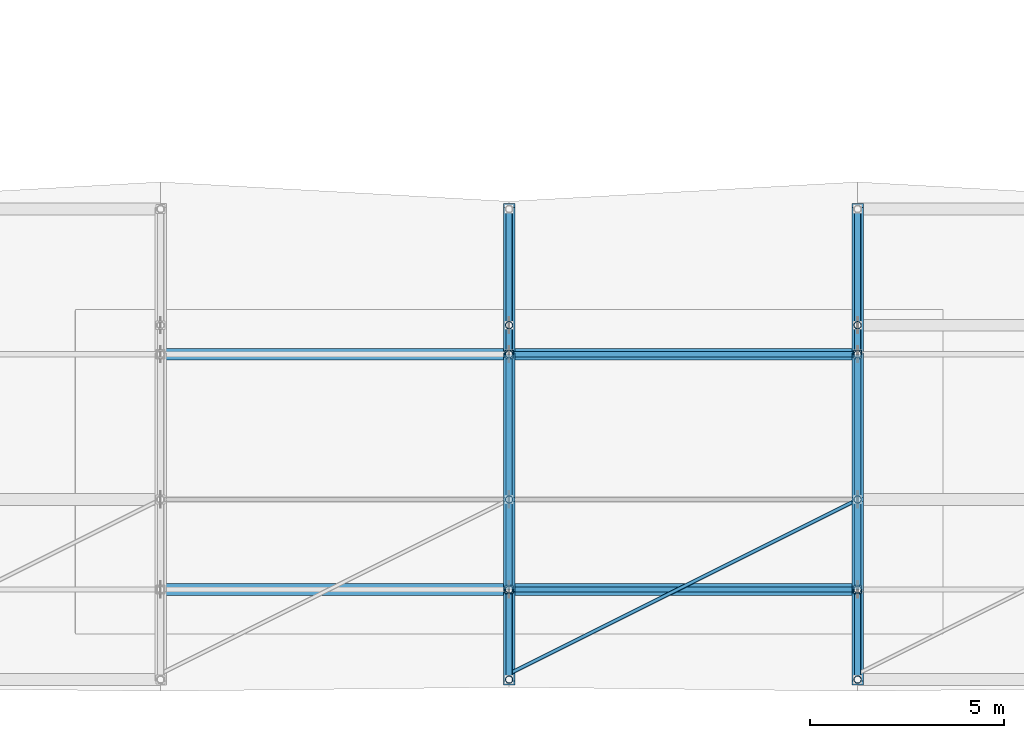
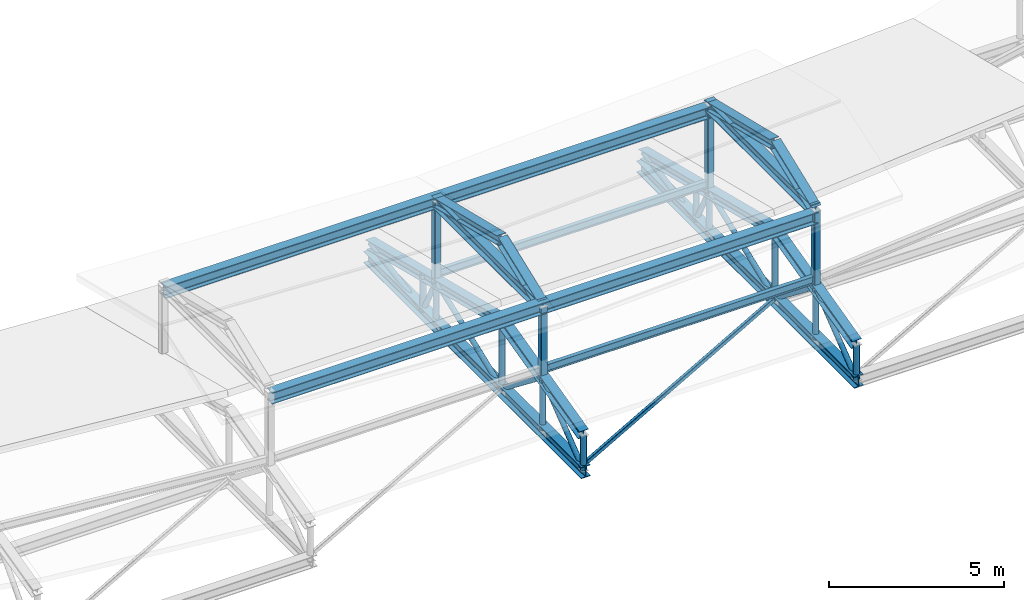
# One storey, part 15 of 55: 35 members, 6 beams.
"""IFC4 building model written with IfcOpenShell, lengths in metres."""

from ifc_helpers import new_model, si_unit, direction, frame, origin, origin_2d, place, context, subcontext, project, spatial, hollow_rectangle, hollow_circle, i_section, extrude, material, material_profile, profile_set, type_object, element, save


model = new_model("IFC4")

# Units and contexts
model_context = context("Model", 3, precision=1e-05, world=origin(), true_north=direction((0.0, 1.0)))
body_context = subcontext(model_context, "Body", "Model", "MODEL_VIEW")
ifc_project = project(units=[si_unit("LENGTHUNIT", "METRE"), si_unit("AREAUNIT", "SQUARE_METRE"), si_unit("VOLUMEUNIT", "CUBIC_METRE"), si_unit("PLANEANGLEUNIT", "RADIAN"), si_unit("MASSUNIT", "GRAM", prefix="KILO")], contexts=[model_context])

# Site, building, storey
site_placement = place(None, origin())
site = spatial("IfcSite", under=ifc_project, at=site_placement, CompositionType="ELEMENT")
building_placement = place(site_placement, origin())
building = spatial("IfcBuilding", under=site, at=building_placement, Name="Bozkorgan Art Gallery", CompositionType="ELEMENT")
storey_placement = place(building_placement, frame((0.0, 0.0, 15.0)))
storey = spatial("IfcBuildingStorey", under=building, at=storey_placement, Name="L03", CompositionType="ELEMENT", Elevation=15.0)

# Beams
ifc_material = material(Name="Steel S355J2", Category="steel")
ifc_material_profile_1 = material_profile(ifc_material, i_section(OverallWidth=0.300048828125, OverallDepth=0.39990234375, WebThickness=0.013427734375, FlangeThickness=0.02392578125, FilletRadius=0.027099609375, at=origin_2d()), Name="HEB 400")
ifc_profile_set_1 = profile_set([ifc_material_profile_1], Name="Steel S355J2")
beam_type_1 = type_object("IfcBeamType", Name="BEAM-TB-49", PredefinedType="BEAM", material=ifc_profile_set_1)
for number, where, z_axis, x_axis, name in (
    (1, (101.0, 4.175048828125, 4.491943359375), (0.0, 1.0, 0.0), (-1.0, 0.0, 0.0), "V3 stacked upper roof truss 2"),
    (2, (110.0, 4.175048828125, 4.6943359375), (0.0, 1.0, 0.0), (-1.0, 0.0, 0.0), "V3 stacked upper roof truss 3"),
):
    element("IfcBeam", number, at=place(storey_placement, frame(where, z_axis=z_axis, x_axis=x_axis)), inside=storey, type_object=beam_type_1, Name=name, PredefinedType="BEAM", context=body_context, shape_type="SweptSolid", body=[
        extrude(i_section(OverallWidth=0.300048828125, OverallDepth=0.39990234375, WebThickness=0.013427734375, FlangeThickness=0.02392578125, FilletRadius=0.027099609375, at=origin_2d()), origin(), (0.0, 0.0, 1.0), 6.074951171875),
    ])
ifc_material_profile_2 = material_profile(ifc_material, i_section(OverallWidth=0.300048828125, OverallDepth=0.39990234375, WebThickness=0.013427734375, FlangeThickness=0.02392578125, FilletRadius=0.027099609375, at=origin_2d()), Name="HEB 400")
ifc_profile_set_2 = profile_set([ifc_material_profile_2], Name="Steel S355J2")
beam_type_2 = type_object("IfcBeamType", Name="BEAM-TO-32", PredefinedType="BEAM", material=ifc_profile_set_2)
for number, where, z_axis, x_axis, name in (
    (3, (101.0, 1.7099609375, 0.199951171875), (0.0, 1.0, 0.0), (-1.0, 0.0, 0.0), "ROOF-V3-MAIN roof truss 4 bottom chord"),
    (4, (110.0, 1.7099609375, 0.199951171875), (0.0, 1.0, 0.0), (-1.0, 0.0, 0.0), "ROOF-V3-MAIN roof truss 5 bottom chord"),
):
    element("IfcBeam", number, at=place(storey_placement, frame(where, z_axis=z_axis, x_axis=x_axis)), inside=storey, type_object=beam_type_2, Name=name, PredefinedType="BEAM", context=body_context, shape_type="SweptSolid", body=[
        extrude(i_section(OverallWidth=0.300048828125, OverallDepth=0.39990234375, WebThickness=0.013427734375, FlangeThickness=0.02392578125, FilletRadius=0.027099609375, at=origin_2d()), origin(), (0.0, 0.0, 1.0), 12.429931640625),
    ])
for number, where, z_axis, x_axis, name in (
    (5, (92.0, 4.175048828125, 4.491943359375), (1.0, 0.0, 0.0), (0.0, 1.0, 0.0), "V3 stacked roof longitudinal tie 1"),
    (6, (92.0, 10.25, 4.491943359375), (1.0, 0.0, 0.0), (0.0, 1.0, 0.0), "V3 stacked roof longitudinal tie 2"),
):
    element("IfcBeam", number, at=place(storey_placement, frame(where, z_axis=z_axis, x_axis=x_axis)), inside=storey, type_object=beam_type_2, Name=name, PredefinedType="BEAM", context=body_context, shape_type="SweptSolid", body=[
        extrude(i_section(OverallWidth=0.300048828125, OverallDepth=0.39990234375, WebThickness=0.013427734375, FlangeThickness=0.02392578125, FilletRadius=0.027099609375, at=origin_2d()), origin(), (0.0, 0.0, 1.0), 18.0),
    ])

# Members
ifc_material_profile_3 = material_profile(ifc_material, hollow_rectangle(XDim=0.219970703125, YDim=0.219970703125, WallThickness=0.012451171875, InnerFilletRadius=0.018798828125, OuterFilletRadius=0.03125, at=origin_2d()), Name="SHS 220x220x12.5")
ifc_profile_set_3 = profile_set([ifc_material_profile_3], Name="Steel S355J2")
member_type_1 = type_object("IfcMemberType", Name="MEMBER-CP-34", PredefinedType="POST", material=ifc_profile_set_3)
member_1_placement = place(storey_placement, frame((101.0, 4.175048828125, 2.00634765625), z_axis=(0.0, 0.0, 1.0), x_axis=(1.0, 0.0, 0.0)))
element("IfcMember", 7, at=member_1_placement, inside=storey, type_object=member_type_1, Name="V3 upper clerestory truss post 2S", PredefinedType="POST", context=body_context, shape_type="SweptSolid", body=[
    extrude(hollow_rectangle(XDim=0.219970703125, YDim=0.219970703125, WallThickness=0.012451171875, InnerFilletRadius=0.018798828125, OuterFilletRadius=0.03125, at=origin_2d()), origin(), (0.0, 0.0, 1.0), 2.485595703125),
])
member_2_placement = place(storey_placement, frame((101.0, 10.25, 1.651123046875), z_axis=(0.0, 0.0, 1.0), x_axis=(1.0, 0.0, 0.0)))
element("IfcMember", 8, at=member_2_placement, inside=storey, type_object=member_type_1, Name="V3 upper clerestory truss post 2N", PredefinedType="POST", context=body_context, shape_type="SweptSolid", body=[
    extrude(hollow_rectangle(XDim=0.219970703125, YDim=0.219970703125, WallThickness=0.012451171875, InnerFilletRadius=0.018798828125, OuterFilletRadius=0.03125, at=origin_2d()), origin(), (0.0, 0.0, 1.0), 2.8408203125),
])
member_3_placement = place(storey_placement, frame((110.0, 4.175048828125, 2.00634765625), z_axis=(0.0, 0.0, 1.0), x_axis=(1.0, 0.0, 0.0)))
element("IfcMember", 9, at=member_3_placement, inside=storey, type_object=member_type_1, Name="V3 upper clerestory truss post 3S", PredefinedType="POST", context=body_context, shape_type="SweptSolid", body=[
    extrude(hollow_rectangle(XDim=0.219970703125, YDim=0.219970703125, WallThickness=0.012451171875, InnerFilletRadius=0.018798828125, OuterFilletRadius=0.03125, at=origin_2d()), origin(), (0.0, 0.0, 1.0), 2.68798828125),
])
member_4_placement = place(storey_placement, frame((110.0, 10.25, 1.651123046875), z_axis=(0.0, 0.0, 1.0), x_axis=(1.0, 0.0, 0.0)))
element("IfcMember", 10, at=member_4_placement, inside=storey, type_object=member_type_1, Name="V3 upper clerestory truss post 3N", PredefinedType="POST", context=body_context, shape_type="SweptSolid", body=[
    extrude(hollow_rectangle(XDim=0.219970703125, YDim=0.219970703125, WallThickness=0.012451171875, InnerFilletRadius=0.018798828125, OuterFilletRadius=0.03125, at=origin_2d()), origin(), (0.0, 0.0, 1.0), 3.043212890625),
])
ifc_material_profile_4 = material_profile(ifc_material, i_section(OverallWidth=0.135009765625, OverallDepth=0.27001953125, WebThickness=0.006591796875, FlangeThickness=0.01025390625, FilletRadius=0.014892578125, at=origin_2d()), Name="IPE 270")
ifc_profile_set_4 = profile_set([ifc_material_profile_4], Name="Steel S355J2")
member_type_2 = type_object("IfcMemberType", Name="MEMBER-PR-57", PredefinedType="PURLIN", material=ifc_profile_set_4)
for number, where, z_axis, x_axis, name in (
    (11, (101.0, 4.175048828125, 2.29638671875), (1.0, 0.0, 0.0), (0.0, 1.0, 0.0), "ROOF-V3-MAIN roof purlin 4S"),
    (12, (101.0, 10.25, 1.941162109375), (1.0, 0.0, 0.0), (0.0, 1.0, 0.0), "ROOF-V3-MAIN roof purlin 4N"),
):
    element("IfcMember", number, at=place(storey_placement, frame(where, z_axis=z_axis, x_axis=x_axis)), inside=storey, type_object=member_type_2, Name=name, PredefinedType="PURLIN", context=body_context, shape_type="SweptSolid", body=[
        extrude(i_section(OverallWidth=0.135009765625, OverallDepth=0.27001953125, WebThickness=0.006591796875, FlangeThickness=0.01025390625, FilletRadius=0.014892578125, at=origin_2d()), origin(), (0.0, 0.0, 1.0), 9.0),
    ])
ifc_material_profile_5 = material_profile(ifc_material, i_section(OverallWidth=0.300048828125, OverallDepth=0.31005859375, WebThickness=0.009033203125, FlangeThickness=0.015380859375, FilletRadius=0.027099609375, at=origin_2d()), Name="HEA 320")
ifc_profile_set_5 = profile_set([ifc_material_profile_5], Name="Steel S355J2")
member_type_3 = type_object("IfcMemberType", Name="MEMBER-TC-13", PredefinedType="CHORD", material=ifc_profile_set_5)
member_5_placement = place(storey_placement, frame((101.0, 1.85009765625, 1.4267578125), z_axis=(0.0, 0.970292152268, 0.241936229713), x_axis=(-1.0, 0.0, 0.0)))
element("IfcMember", 13, at=member_5_placement, inside=storey, type_object=member_type_3, Name="ROOF-V3-MAIN roof truss 4 south top chord", PredefinedType="CHORD", context=body_context, shape_type="SweptSolid", body=[
    extrude(i_section(OverallWidth=0.300048828125, OverallDepth=0.31005859375, WebThickness=0.009033203125, FlangeThickness=0.015380859375, FilletRadius=0.027099609375, at=origin_2d()), origin(), (0.0, 0.0, 1.0), 4.792236328125),
])
member_6_placement = place(storey_placement, frame((101.0, 6.5, 2.586181640625), z_axis=(0.0, 0.970290953223, -0.241941038466), x_axis=(-1.0, 0.0, 0.0)))
element("IfcMember", 14, at=member_6_placement, inside=storey, type_object=member_type_3, Name="ROOF-V3-MAIN roof truss 4 north top chord", PredefinedType="CHORD", context=body_context, shape_type="SweptSolid", body=[
    extrude(i_section(OverallWidth=0.300048828125, OverallDepth=0.31005859375, WebThickness=0.009033203125, FlangeThickness=0.015380859375, FilletRadius=0.027099609375, at=origin_2d()), origin(), (0.0, 0.0, 1.0), 7.729736328125),
])
member_7_placement = place(storey_placement, frame((110.0, 1.85009765625, 1.4267578125), z_axis=(0.0, 0.970292152268, 0.241936229713), x_axis=(-1.0, 0.0, 0.0)))
element("IfcMember", 15, at=member_7_placement, inside=storey, type_object=member_type_3, Name="ROOF-V3-MAIN roof truss 5 south top chord", PredefinedType="CHORD", context=body_context, shape_type="SweptSolid", body=[
    extrude(i_section(OverallWidth=0.300048828125, OverallDepth=0.31005859375, WebThickness=0.009033203125, FlangeThickness=0.015380859375, FilletRadius=0.027099609375, at=origin_2d()), origin(), (0.0, 0.0, 1.0), 4.792236328125),
])
member_8_placement = place(storey_placement, frame((110.0, 6.5, 2.586181640625), z_axis=(0.0, 0.970290953223, -0.241941038466), x_axis=(-1.0, 0.0, 0.0)))
element("IfcMember", 16, at=member_8_placement, inside=storey, type_object=member_type_3, Name="ROOF-V3-MAIN roof truss 5 north top chord", PredefinedType="CHORD", context=body_context, shape_type="SweptSolid", body=[
    extrude(i_section(OverallWidth=0.300048828125, OverallDepth=0.31005859375, WebThickness=0.009033203125, FlangeThickness=0.015380859375, FilletRadius=0.027099609375, at=origin_2d()), origin(), (0.0, 0.0, 1.0), 7.729736328125),
])
member_9_placement = place(storey_placement, frame((101.0, 4.175048828125, 4.491943359375), z_axis=(0.0, 0.931587315796, 0.363517637877), x_axis=(-1.0, 0.0, 0.0)))
element("IfcMember", 17, at=member_9_placement, inside=storey, type_object=member_type_3, Name="V3 stacked upper south chord 2", PredefinedType="CHORD", context=body_context, shape_type="SweptSolid", body=[
    extrude(i_section(OverallWidth=0.300048828125, OverallDepth=0.31005859375, WebThickness=0.009033203125, FlangeThickness=0.015380859375, FilletRadius=0.027099609375, at=origin_2d()), origin(), (0.0, 0.0, 1.0), 2.49560546875),
])
member_10_placement = place(storey_placement, frame((101.0, 6.5, 5.399169921875), z_axis=(0.0, 0.971960640183, -0.235143602794), x_axis=(-1.0, 0.0, 0.0)))
element("IfcMember", 18, at=member_10_placement, inside=storey, type_object=member_type_3, Name="V3 stacked upper north chord 2", PredefinedType="CHORD", context=body_context, shape_type="SweptSolid", body=[
    extrude(i_section(OverallWidth=0.300048828125, OverallDepth=0.31005859375, WebThickness=0.009033203125, FlangeThickness=0.015380859375, FilletRadius=0.027099609375, at=origin_2d()), origin(), (0.0, 0.0, 1.0), 3.858154296875),
])
member_11_placement = place(storey_placement, frame((110.0, 4.175048828125, 4.6943359375), z_axis=(0.0, 0.931587315796, 0.363517637877), x_axis=(-1.0, 0.0, 0.0)))
element("IfcMember", 19, at=member_11_placement, inside=storey, type_object=member_type_3, Name="V3 stacked upper south chord 3", PredefinedType="CHORD", context=body_context, shape_type="SweptSolid", body=[
    extrude(i_section(OverallWidth=0.300048828125, OverallDepth=0.31005859375, WebThickness=0.009033203125, FlangeThickness=0.015380859375, FilletRadius=0.027099609375, at=origin_2d()), origin(), (0.0, 0.0, 1.0), 2.49560546875),
])
member_12_placement = place(storey_placement, frame((110.0, 6.5, 5.6015625), z_axis=(0.0, 0.971960640183, -0.235143602794), x_axis=(-1.0, 0.0, 0.0)))
element("IfcMember", 20, at=member_12_placement, inside=storey, type_object=member_type_3, Name="V3 stacked upper north chord 3", PredefinedType="CHORD", context=body_context, shape_type="SweptSolid", body=[
    extrude(i_section(OverallWidth=0.300048828125, OverallDepth=0.31005859375, WebThickness=0.009033203125, FlangeThickness=0.015380859375, FilletRadius=0.027099609375, at=origin_2d()), origin(), (0.0, 0.0, 1.0), 3.858154296875),
])
ifc_material_profile_6 = material_profile(ifc_material, hollow_circle(Radius=0.096923828125, WallThickness=0.008056640625, at=origin_2d()), Name="CHS 193.7x8")
ifc_profile_set_6 = profile_set([ifc_material_profile_6], Name="Steel S355J2")
member_type_4 = type_object("IfcMemberType", Name="MEMBER-TP-46", PredefinedType="POST", material=ifc_profile_set_6)
member_13_placement = place(storey_placement, frame((101.0, 1.85009765625, 0.199951171875), z_axis=(0.0, 0.0, 1.0), x_axis=(1.0, 0.0, 0.0)))
element("IfcMember", 21, at=member_13_placement, inside=storey, type_object=member_type_4, Name="ROOF-V3-MAIN roof truss 4 post 0", PredefinedType="POST", context=body_context, shape_type="SweptSolid", body=[
    extrude(hollow_circle(Radius=0.096923828125, WallThickness=0.008056640625, at=origin_2d()), origin(), (0.0, 0.0, 1.0), 1.226806640625),
])
member_14_placement = place(storey_placement, frame((101.0, 4.175048828125, 0.199951171875), z_axis=(0.0, 0.0, 1.0), x_axis=(1.0, 0.0, 0.0)))
element("IfcMember", 22, at=member_14_placement, inside=storey, type_object=member_type_4, Name="ROOF-V3-MAIN roof truss 4 post 1", PredefinedType="POST", context=body_context, shape_type="SweptSolid", body=[
    extrude(hollow_circle(Radius=0.096923828125, WallThickness=0.008056640625, at=origin_2d()), origin(), (0.0, 0.0, 1.0), 1.806396484375),
])
member_15_placement = place(storey_placement, frame((101.0, 6.5, 0.199951171875), z_axis=(0.0, 0.0, 1.0), x_axis=(1.0, 0.0, 0.0)))
element("IfcMember", 23, at=member_15_placement, inside=storey, type_object=member_type_4, Name="ROOF-V3-MAIN roof truss 4 post 2", PredefinedType="POST", context=body_context, shape_type="SweptSolid", body=[
    extrude(hollow_circle(Radius=0.096923828125, WallThickness=0.008056640625, at=origin_2d()), origin(), (0.0, 0.0, 1.0), 2.38623046875),
])
member_16_placement = place(storey_placement, frame((101.0, 10.25, 0.199951171875), z_axis=(0.0, 0.0, 1.0), x_axis=(1.0, 0.0, 0.0)))
element("IfcMember", 24, at=member_16_placement, inside=storey, type_object=member_type_4, Name="ROOF-V3-MAIN roof truss 4 post 3", PredefinedType="POST", context=body_context, shape_type="SweptSolid", body=[
    extrude(hollow_circle(Radius=0.096923828125, WallThickness=0.008056640625, at=origin_2d()), origin(), (0.0, 0.0, 1.0), 1.451171875),
])
member_17_placement = place(storey_placement, frame((101.0, 11.0, 0.199951171875), z_axis=(0.0, 0.0, 1.0), x_axis=(1.0, 0.0, 0.0)))
element("IfcMember", 25, at=member_17_placement, inside=storey, type_object=member_type_4, Name="ROOF-V3-MAIN roof truss 4 post 4", PredefinedType="POST", context=body_context, shape_type="SweptSolid", body=[
    extrude(hollow_circle(Radius=0.096923828125, WallThickness=0.008056640625, at=origin_2d()), origin(), (0.0, 0.0, 1.0), 1.26416015625),
])
member_18_placement = place(storey_placement, frame((110.0, 1.85009765625, 0.199951171875), z_axis=(0.0, 0.0, 1.0), x_axis=(1.0, 0.0, 0.0)))
element("IfcMember", 26, at=member_18_placement, inside=storey, type_object=member_type_4, Name="ROOF-V3-MAIN roof truss 5 post 0", PredefinedType="POST", context=body_context, shape_type="SweptSolid", body=[
    extrude(hollow_circle(Radius=0.096923828125, WallThickness=0.008056640625, at=origin_2d()), origin(), (0.0, 0.0, 1.0), 1.226806640625),
])
member_19_placement = place(storey_placement, frame((110.0, 4.175048828125, 0.199951171875), z_axis=(0.0, 0.0, 1.0), x_axis=(1.0, 0.0, 0.0)))
element("IfcMember", 27, at=member_19_placement, inside=storey, type_object=member_type_4, Name="ROOF-V3-MAIN roof truss 5 post 1", PredefinedType="POST", context=body_context, shape_type="SweptSolid", body=[
    extrude(hollow_circle(Radius=0.096923828125, WallThickness=0.008056640625, at=origin_2d()), origin(), (0.0, 0.0, 1.0), 1.806396484375),
])
member_20_placement = place(storey_placement, frame((110.0, 6.5, 0.199951171875), z_axis=(0.0, 0.0, 1.0), x_axis=(1.0, 0.0, 0.0)))
element("IfcMember", 28, at=member_20_placement, inside=storey, type_object=member_type_4, Name="ROOF-V3-MAIN roof truss 5 post 2", PredefinedType="POST", context=body_context, shape_type="SweptSolid", body=[
    extrude(hollow_circle(Radius=0.096923828125, WallThickness=0.008056640625, at=origin_2d()), origin(), (0.0, 0.0, 1.0), 2.38623046875),
])
member_21_placement = place(storey_placement, frame((110.0, 10.25, 0.199951171875), z_axis=(0.0, 0.0, 1.0), x_axis=(1.0, 0.0, 0.0)))
element("IfcMember", 29, at=member_21_placement, inside=storey, type_object=member_type_4, Name="ROOF-V3-MAIN roof truss 5 post 3", PredefinedType="POST", context=body_context, shape_type="SweptSolid", body=[
    extrude(hollow_circle(Radius=0.096923828125, WallThickness=0.008056640625, at=origin_2d()), origin(), (0.0, 0.0, 1.0), 1.451171875),
])
member_22_placement = place(storey_placement, frame((110.0, 11.0, 0.199951171875), z_axis=(0.0, 0.0, 1.0), x_axis=(1.0, 0.0, 0.0)))
element("IfcMember", 30, at=member_22_placement, inside=storey, type_object=member_type_4, Name="ROOF-V3-MAIN roof truss 5 post 4", PredefinedType="POST", context=body_context, shape_type="SweptSolid", body=[
    extrude(hollow_circle(Radius=0.096923828125, WallThickness=0.008056640625, at=origin_2d()), origin(), (0.0, 0.0, 1.0), 1.26416015625),
])
ifc_material_profile_7 = material_profile(ifc_material, hollow_circle(Radius=0.084228515625, WallThickness=0.008056640625, at=origin_2d()), Name="CHS 168.3x8")
ifc_profile_set_7 = profile_set([ifc_material_profile_7], Name="Steel S355J2")
member_type_5 = type_object("IfcMemberType", Name="MEMBER-TW-40", PredefinedType="BRACE", material=ifc_profile_set_7)
for number, where, z_axis, x_axis, name in (
    (31, (101.0, 1.85009765625, 0.199951171875), (0.0, 0.789664666631, 0.61353868197), (-1.0, 0.0, 0.0), "ROOF-V3-MAIN roof truss 4 diagonal 1"),
    (32, (101.0, 4.175048828125, 2.00634765625), (0.0, 0.789664666631, -0.61353868197), (-1.0, 0.0, 0.0), "ROOF-V3-MAIN roof truss 4 diagonal 2"),
):
    element("IfcMember", number, at=place(storey_placement, frame(where, z_axis=z_axis, x_axis=x_axis)), inside=storey, type_object=member_type_5, Name=name, PredefinedType="BRACE", context=body_context, shape_type="SweptSolid", body=[
        extrude(hollow_circle(Radius=0.084228515625, WallThickness=0.008056640625, at=origin_2d()), origin(), (0.0, 0.0, 1.0), 2.9443359375),
    ])
member_23_placement = place(storey_placement, frame((101.0, 6.5, 0.199951171875), z_axis=(0.0, 0.932605017803, 0.360898712618), x_axis=(-1.0, 0.0, 0.0)))
element("IfcMember", 33, at=member_23_placement, inside=storey, type_object=member_type_5, Name="ROOF-V3-MAIN roof truss 4 diagonal 3", PredefinedType="BRACE", context=body_context, shape_type="SweptSolid", body=[
    extrude(hollow_circle(Radius=0.084228515625, WallThickness=0.008056640625, at=origin_2d()), origin(), (0.0, 0.0, 1.0), 4.02099609375),
])
member_24_placement = place(storey_placement, frame((101.0, 10.25, 1.651123046875), z_axis=(0.0, 0.459130149996, -0.888369014185), x_axis=(-1.0, 0.0, 0.0)))
element("IfcMember", 34, at=member_24_placement, inside=storey, type_object=member_type_5, Name="ROOF-V3-MAIN roof truss 4 diagonal 4", PredefinedType="BRACE", context=body_context, shape_type="SweptSolid", body=[
    extrude(hollow_circle(Radius=0.084228515625, WallThickness=0.008056640625, at=origin_2d()), origin(), (0.0, 0.0, 1.0), 1.633544921875),
])
member_25_placement = place(storey_placement, frame((101.0, 11.0, 0.199951171875), z_axis=(0.0, 0.98552210007, 0.169547014937), x_axis=(-1.0, 0.0, 0.0)))
element("IfcMember", 35, at=member_25_placement, inside=storey, type_object=member_type_5, Name="ROOF-V3-MAIN roof truss 4 diagonal 5", PredefinedType="BRACE", context=body_context, shape_type="SweptSolid", body=[
    extrude(hollow_circle(Radius=0.084228515625, WallThickness=0.008056640625, at=origin_2d()), origin(), (0.0, 0.0, 1.0), 3.044189453125),
])
for number, where, z_axis, x_axis, name in (
    (36, (110.0, 1.85009765625, 0.199951171875), (0.0, 0.789664666631, 0.61353868197), (-1.0, 0.0, 0.0), "ROOF-V3-MAIN roof truss 5 diagonal 1"),
    (37, (110.0, 4.175048828125, 2.00634765625), (0.0, 0.789664666631, -0.61353868197), (-1.0, 0.0, 0.0), "ROOF-V3-MAIN roof truss 5 diagonal 2"),
):
    element("IfcMember", number, at=place(storey_placement, frame(where, z_axis=z_axis, x_axis=x_axis)), inside=storey, type_object=member_type_5, Name=name, PredefinedType="BRACE", context=body_context, shape_type="SweptSolid", body=[
        extrude(hollow_circle(Radius=0.084228515625, WallThickness=0.008056640625, at=origin_2d()), origin(), (0.0, 0.0, 1.0), 2.9443359375),
    ])
member_26_placement = place(storey_placement, frame((110.0, 6.5, 0.199951171875), z_axis=(0.0, 0.932605017803, 0.360898712618), x_axis=(-1.0, 0.0, 0.0)))
element("IfcMember", 38, at=member_26_placement, inside=storey, type_object=member_type_5, Name="ROOF-V3-MAIN roof truss 5 diagonal 3", PredefinedType="BRACE", context=body_context, shape_type="SweptSolid", body=[
    extrude(hollow_circle(Radius=0.084228515625, WallThickness=0.008056640625, at=origin_2d()), origin(), (0.0, 0.0, 1.0), 4.02099609375),
])
member_27_placement = place(storey_placement, frame((110.0, 10.25, 1.651123046875), z_axis=(0.0, 0.459130149996, -0.888369014185), x_axis=(-1.0, 0.0, 0.0)))
element("IfcMember", 39, at=member_27_placement, inside=storey, type_object=member_type_5, Name="ROOF-V3-MAIN roof truss 5 diagonal 4", PredefinedType="BRACE", context=body_context, shape_type="SweptSolid", body=[
    extrude(hollow_circle(Radius=0.084228515625, WallThickness=0.008056640625, at=origin_2d()), origin(), (0.0, 0.0, 1.0), 1.633544921875),
])
member_28_placement = place(storey_placement, frame((110.0, 11.0, 0.199951171875), z_axis=(0.0, 0.98552210007, 0.169547014937), x_axis=(-1.0, 0.0, 0.0)))
element("IfcMember", 40, at=member_28_placement, inside=storey, type_object=member_type_5, Name="ROOF-V3-MAIN roof truss 5 diagonal 5", PredefinedType="BRACE", context=body_context, shape_type="SweptSolid", body=[
    extrude(hollow_circle(Radius=0.084228515625, WallThickness=0.008056640625, at=origin_2d()), origin(), (0.0, 0.0, 1.0), 3.044189453125),
])
ifc_material_profile_8 = material_profile(ifc_material, hollow_rectangle(XDim=0.10009765625, YDim=0.14990234375, WallThickness=0.008056640625, InnerFilletRadius=0.011962890625, OuterFilletRadius=0.02001953125, at=origin_2d()), Name="RHS 150x100x8")
ifc_profile_set_8 = profile_set([ifc_material_profile_8], Name="Steel S355J2")
member_type_6 = type_object("IfcMemberType", Name="MEMBER-WB-10", PredefinedType="BRACE", material=ifc_profile_set_8)
member_29_placement = place(storey_placement, frame((101.0, 2.0, 0.199951171875), z_axis=(0.894427191, 0.4472135955, 0.0), x_axis=(-0.4472135955, 0.894427191, 0.0)))
element("IfcMember", 41, at=member_29_placement, inside=storey, type_object=member_type_6, Name="ROOF-V3-MAIN roof diaphragm wind brace 3", PredefinedType="BRACE", context=body_context, shape_type="SweptSolid", body=[
    extrude(hollow_rectangle(XDim=0.10009765625, YDim=0.14990234375, WallThickness=0.008056640625, InnerFilletRadius=0.011962890625, OuterFilletRadius=0.02001953125, at=origin_2d()), origin(), (0.0, 0.0, 1.0), 10.062255859375),
])

save(model, "model.ifc")
